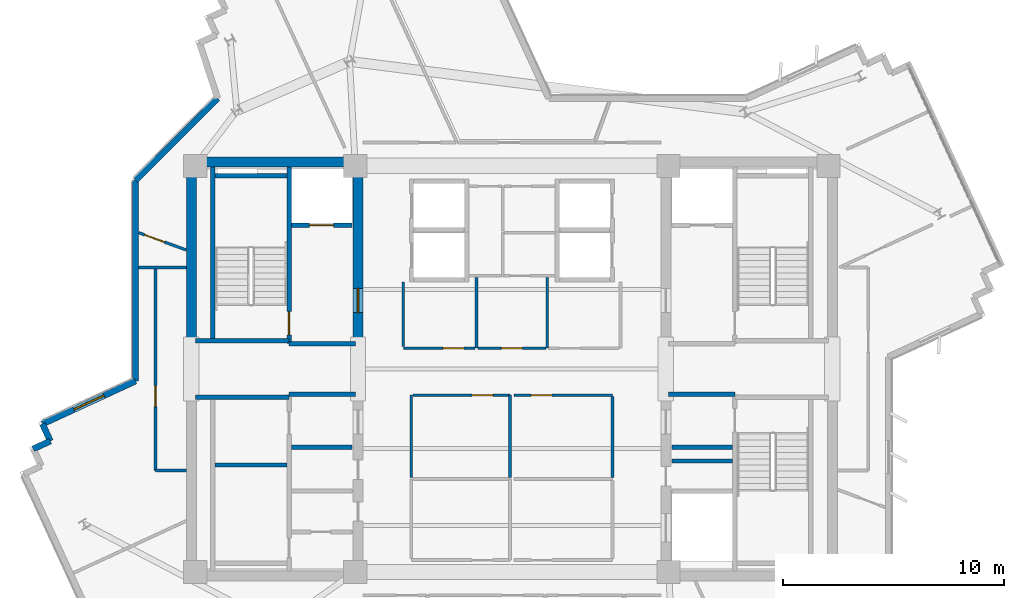
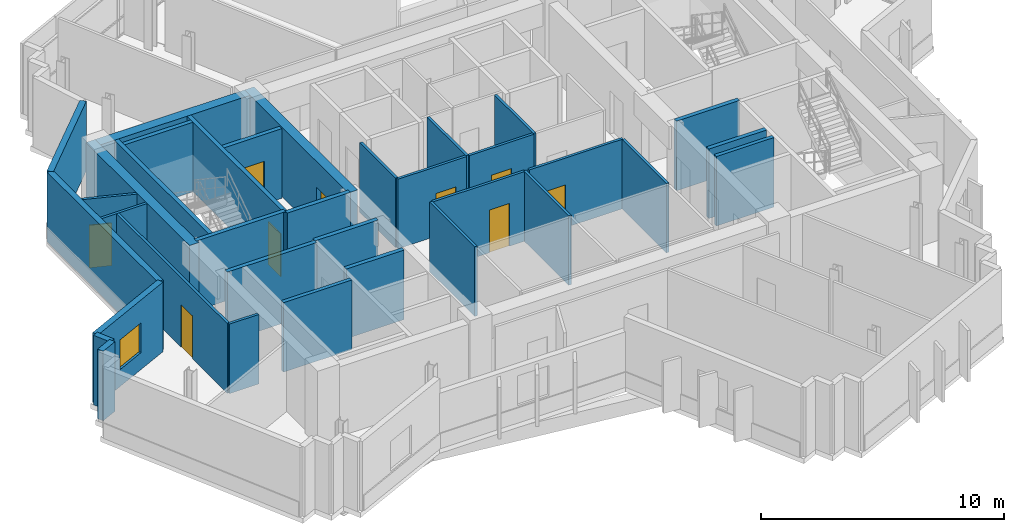
# One storey, part 6 of 12: 35 walls, 9 doors, 1 window, 10 openings.
"""IFC4 building model written with IfcOpenShell, lengths in metres."""

from ifc_helpers import new_model, si_unit, direction, frame, frame_2d, origin, place, context, subcontext, project, spatial, rectangle, extrude, source, transform, mapped, material, layer, layer_set, type_object, element, fill, save


model = new_model("IFC4")

# Units and contexts
model_context = context("Model", 3, precision=1e-05, world=origin(), true_north=direction((0.0, 1.0)))
body_context = subcontext(model_context, "Body", "Model", "MODEL_VIEW")
ifc_project = project(units=[si_unit("LENGTHUNIT", "METRE"), si_unit("AREAUNIT", "SQUARE_METRE"), si_unit("VOLUMEUNIT", "CUBIC_METRE"), si_unit("PLANEANGLEUNIT", "RADIAN"), si_unit("MASSUNIT", "GRAM", prefix="KILO")], contexts=[model_context])

# Site, building, storey
site_placement = place(None, origin())
site = spatial("IfcSite", under=ifc_project, at=site_placement, CompositionType="ELEMENT")
building_placement = place(site_placement, origin())
building = spatial("IfcBuilding", under=site, at=building_placement, Name="Zahravan Cultural Tower", CompositionType="ELEMENT")
storey_placement = place(building_placement, frame((0.0, 0.0, 246.60009765625)))
storey = spatial("IfcBuildingStorey", under=building, at=storey_placement, Name="L58", CompositionType="ELEMENT", Elevation=246.60009765625)

# Wall, opening, door
ifc_material_1 = material(Name="Concrete C50/60", Category="concrete")
ifc_layer_1 = layer(ifc_material_1, 0.449951171875)
ifc_layer_set_1 = layer_set([ifc_layer_1], Name="Concrete C50/60")
wall_type_1 = type_object("IfcWallType", Name="CW-SHEAR-450-C50", PredefinedType="SHEAR", material=ifc_layer_set_1)
wall_1_placement = place(storey_placement, frame((29.02490234375, 28.050048828125, 0.0), z_axis=(0.0, 0.0, 1.0), x_axis=(0.0, 1.0, 0.0)))
wall_1 = element("IfcWall", 1, at=wall_1_placement, inside=storey, type_object=wall_type_1, Name="L58 Core Shear Wall CW-W-EN-L58", PredefinedType="SHEAR", context=body_context, shape_type="SweptSolid", body=[
    extrude(rectangle(XDim=8.550048828125, YDim=0.449951171875, at=frame_2d((4.27490234375, 0.0))), origin(), (0.0, 0.0, 1.0), 3.5),
])
opening_1_placement = place(wall_1_placement, frame((1.5, 0.0, 0.0)))
opening_1 = element("IfcOpeningElement", 2, at=opening_1_placement, cuts=wall_1, Name="Opening D-L58-06", PredefinedType="OPENING", context=body_context, shape_type="SweptSolid", body=[
    extrude(rectangle(XDim=1.10009765625, YDim=2.199951171875, at=frame_2d((0.550048828125, 1.10009765625))), frame((0.0, 0.23486328125, 0.0), z_axis=(0.0, -1.0, 0.0), x_axis=(1.0, 0.0, 0.0)), (0.0, 0.0, 1.0), 0.469970703125),
])
ifc_material_2 = material(Name="Steel ASTM A572 Grade 50", Category="steel")
door_type_1 = type_object("IfcDoorType", Name="DR-LOBBY-1100", OperationType="NOTDEFINED", PredefinedType="DOOR", material=ifc_material_2)
shared_shape_1 = source(origin(), body_context, "Body", "SweptSolid", [
    extrude(rectangle(XDim=1.10009765625, YDim=2.199951171875, at=frame_2d((0.550048828125, 1.10009765625))), frame((0.0, 0.02490234375, 0.0), z_axis=(0.0, -1.0, 0.0), x_axis=(1.0, 0.0, 0.0)), (0.0, 0.0, 1.0), 0.050048828125),
])
door_1_placement = place(opening_1_placement, origin())
door_1 = element("IfcDoor", 3, at=door_1_placement, inside=storey, type_object=door_type_1, Name="L58 Door D-L58-06", OperationType="SINGLE_SWING_LEFT", OverallHeight=2.199951171875, OverallWidth=1.10009765625, PredefinedType="DOOR", context=body_context, shape_type="MappedRepresentation", body=[
    mapped(shared_shape_1, transform((0.0, 0.0, 0.0), x_axis=(1.0, 0.0, 0.0), y_axis=(0.0, 1.0, 0.0), z_axis=(0.0, 0.0, 1.0), scale=1.0)),
])
fill(opening_1, door_1)

# Wall, opening, window
ifc_material_3 = material(Name="Precast concrete C40/50", Category="concrete")
ifc_layer_2 = layer(ifc_material_3, 0.280029296875)
ifc_layer_set_2 = layer_set([ifc_layer_2], Name="Precast concrete C40/50")
wall_type_2 = type_object("IfcWallType", Name="EW-TC-280", PredefinedType="SOLIDWALL", material=ifc_layer_set_2)
wall_2_placement = place(storey_placement, frame((14.72412109375, 24.505615234375, 0.0), z_axis=(0.0, 0.0, 1.0), x_axis=(0.907756183213, 0.419498166669, 0.0)))
wall_2 = element("IfcWall", 4, at=wall_2_placement, inside=storey, type_object=wall_type_2, Name="L58 Exterior Masonry Frame Wall 35", PredefinedType="SOLIDWALL", context=body_context, shape_type="SweptSolid", body=[
    extrude(rectangle(XDim=4.644287109375, YDim=0.280029296875, at=frame_2d((2.322265625, 0.0))), origin(), (0.0, 0.0, 1.0), 3.5),
])
opening_2_placement = place(wall_2_placement, frame((1.572021484375, 0.0, 0.85009765625)))
opening_2 = element("IfcOpeningElement", 5, at=opening_2_placement, cuts=wall_2, Name="Opening WN-03", PredefinedType="OPENING", context=body_context, shape_type="SweptSolid", body=[
    extrude(rectangle(XDim=1.5, YDim=1.5, at=frame_2d((0.75, 0.75))), frame((0.0, 0.14990234375, 0.0), z_axis=(0.0, -1.0, 0.0), x_axis=(1.0, 0.0, 0.0)), (0.0, 0.0, 1.0), 0.300048828125),
])
ifc_material_4 = material(Name="Low-E solar-control double glazing", Category="glass")
window_type = type_object("IfcWindowType", Name="WN-REC-1500X1500", PartitioningType="SINGLE_PANEL", PredefinedType="WINDOW", material=ifc_material_4)
shared_shape_2 = source(origin(), body_context, "Body", "SweptSolid", [
    extrude(rectangle(XDim=1.5, YDim=1.5, at=frame_2d((0.75, 0.75))), frame((0.0, 0.030029296875, 0.0), z_axis=(0.0, -1.0, 0.0), x_axis=(1.0, 0.0, 0.0)), (0.0, 0.0, 1.0), 0.06005859375),
])
window_placement = place(opening_2_placement, origin())
window = element("IfcWindow", 6, at=window_placement, inside=storey, type_object=window_type, Name="L58 Recessed Solar Window 08", OverallHeight=1.5, OverallWidth=1.5, PartitioningType="SINGLE_PANEL", PredefinedType="WINDOW", context=body_context, shape_type="MappedRepresentation", body=[
    mapped(shared_shape_2, transform((0.0, 0.0, 0.0), x_axis=(1.0, 0.0, 0.0), y_axis=(0.0, 1.0, 0.0), z_axis=(0.0, 0.0, 1.0), scale=1.0)),
])
fill(opening_2, window)

# Wall, opening, door
ifc_material_5 = material(Name="Gypsum plasterboard partition")
ifc_layer_3 = layer(ifc_material_5, 0.125)
ifc_layer_set_3 = layer_set([ifc_layer_3], Name="Gypsum plasterboard partition")
wall_type_3 = type_object("IfcWallType", Name="W-PART-125", PredefinedType="PARTITIONING", material=ifc_layer_set_3)
wall_3_placement = place(storey_placement, frame((37.532470703125, 27.93994140625, 0.0), z_axis=(0.0, 0.0, 1.0), x_axis=(-1.0, 0.0, 0.0)))
wall_3 = element("IfcWall", 7, at=wall_3_placement, inside=storey, type_object=wall_type_3, Name="L58 Interior Wall 053", PredefinedType="PARTITIONING", context=body_context, shape_type="SweptSolid", body=[
    extrude(rectangle(XDim=3.06494140625, YDim=0.125, at=frame_2d((1.532470703125, 0.0))), origin(), (0.0, 0.0, 1.0), 3.5),
])
opening_3_placement = place(wall_3_placement, frame((1.0576171875, 0.0, 0.0)))
opening_3 = element("IfcOpeningElement", 8, at=opening_3_placement, cuts=wall_3, Name="Opening D-L58-21", PredefinedType="OPENING", context=body_context, shape_type="SweptSolid", body=[
    extrude(rectangle(XDim=0.949951171875, YDim=2.14990234375, at=frame_2d((0.47509765625, 1.074951171875))), frame((0.0, 0.072509765625, 0.0), z_axis=(0.0, -1.0, 0.0), x_axis=(1.0, 0.0, 0.0)), (0.0, 0.0, 1.0), 0.14501953125),
])
ifc_material_6 = material(Name="Anodised bronze-aluminium mullion", Category="aluminium")
door_type_2 = type_object("IfcDoorType", Name="DR-ROOM-950", OperationType="NOTDEFINED", PredefinedType="DOOR", material=ifc_material_6)
shared_shape_3 = source(origin(), body_context, "Body", "SweptSolid", [
    extrude(rectangle(XDim=0.949951171875, YDim=2.14990234375, at=frame_2d((0.47509765625, 1.074951171875))), frame((0.0, 0.02490234375, 0.0), z_axis=(0.0, -1.0, 0.0), x_axis=(1.0, 0.0, 0.0)), (0.0, 0.0, 1.0), 0.050048828125),
])
door_2_placement = place(opening_3_placement, origin())
door_2 = element("IfcDoor", 9, at=door_2_placement, inside=storey, type_object=door_type_2, Name="L58 Door D-L58-21", OperationType="SINGLE_SWING_RIGHT", OverallHeight=2.14990234375, OverallWidth=0.949951171875, PredefinedType="DOOR", context=body_context, shape_type="MappedRepresentation", body=[
    mapped(shared_shape_3, transform((0.0, 0.0, 0.0), x_axis=(1.0, 0.0, 0.0), y_axis=(0.0, 1.0, 0.0), z_axis=(0.0, 0.0, 1.0), scale=1.0)),
])
fill(opening_3, door_2)

wall_4_placement = place(storey_placement, frame((34.33251953125, 27.93994140625, 0.0), z_axis=(0.0, 0.0, 1.0), x_axis=(-1.0, 0.0, 0.0)))
wall_4 = element("IfcWall", 10, at=wall_4_placement, inside=storey, type_object=wall_type_3, Name="L58 Interior Wall 054", PredefinedType="PARTITIONING", context=body_context, shape_type="SweptSolid", body=[
    extrude(rectangle(XDim=3.25244140625, YDim=0.125, at=frame_2d((1.626220703125, 0.0))), origin(), (0.0, 0.0, 1.0), 3.5),
])
opening_4_placement = place(wall_4_placement, frame((0.506591796875, 0.0, 0.0)))
opening_4 = element("IfcOpeningElement", 11, at=opening_4_placement, cuts=wall_4, Name="Opening D-L58-20", PredefinedType="OPENING", context=body_context, shape_type="SweptSolid", body=[
    extrude(rectangle(XDim=0.949951171875, YDim=2.14990234375, at=frame_2d((0.47509765625, 1.074951171875))), frame((0.0, 0.072509765625, 0.0), z_axis=(0.0, -1.0, 0.0), x_axis=(1.0, 0.0, 0.0)), (0.0, 0.0, 1.0), 0.14501953125),
])
door_3_placement = place(opening_4_placement, origin())
door_3 = element("IfcDoor", 12, at=door_3_placement, inside=storey, type_object=door_type_2, Name="L58 Door D-L58-20", OperationType="SINGLE_SWING_LEFT", OverallHeight=2.14990234375, OverallWidth=0.949951171875, PredefinedType="DOOR", context=body_context, shape_type="MappedRepresentation", body=[
    mapped(shared_shape_3, transform((0.0, 0.0, 0.0), x_axis=(1.0, 0.0, 0.0), y_axis=(0.0, 1.0, 0.0), z_axis=(0.0, 0.0, 1.0), scale=1.0)),
])
fill(opening_4, door_3)

wall_5_placement = place(storey_placement, frame((31.507568359375, 25.81005859375, 0.0), z_axis=(0.0, 0.0, 1.0), x_axis=(1.0, 0.0, 0.0)))
wall_5 = element("IfcWall", 13, at=wall_5_placement, inside=storey, type_object=wall_type_3, Name="L58 Interior Wall 066", PredefinedType="PARTITIONING", context=body_context, shape_type="SweptSolid", body=[
    extrude(rectangle(XDim=4.40234375, YDim=0.125, at=frame_2d((2.201171875, 0.0))), origin(), (0.0, 0.0, 1.0), 3.5),
])
opening_5_placement = place(wall_5_placement, frame((2.69287109375, 0.0, 0.0)))
opening_5 = element("IfcOpeningElement", 14, at=opening_5_placement, cuts=wall_5, Name="Opening D-L58-15", PredefinedType="OPENING", context=body_context, shape_type="SweptSolid", body=[
    extrude(rectangle(XDim=0.949951171875, YDim=2.14990234375, at=frame_2d((0.47509765625, 1.074951171875))), frame((0.0, 0.072509765625, 0.0), z_axis=(0.0, -1.0, 0.0), x_axis=(1.0, 0.0, 0.0)), (0.0, 0.0, 1.0), 0.14501953125),
])
door_4_placement = place(opening_5_placement, origin())
door_4 = element("IfcDoor", 15, at=door_4_placement, inside=storey, type_object=door_type_2, Name="L58 Door D-L58-15", OperationType="SINGLE_SWING_RIGHT", OverallHeight=2.14990234375, OverallWidth=0.949951171875, PredefinedType="DOOR", context=body_context, shape_type="MappedRepresentation", body=[
    mapped(shared_shape_3, transform((0.0, 0.0, 0.0), x_axis=(1.0, 0.0, 0.0), y_axis=(0.0, 1.0, 0.0), z_axis=(0.0, 0.0, 1.0), scale=1.0)),
])
fill(opening_5, door_4)

wall_6_placement = place(storey_placement, frame((36.090087890625, 25.81005859375, 0.0), z_axis=(0.0, 0.0, 1.0), x_axis=(1.0, 0.0, 0.0)))
wall_6 = element("IfcWall", 16, at=wall_6_placement, inside=storey, type_object=wall_type_3, Name="L58 Interior Wall 068", PredefinedType="PARTITIONING", context=body_context, shape_type="SweptSolid", body=[
    extrude(rectangle(XDim=4.469970703125, YDim=0.125, at=frame_2d((2.23486328125, 0.0))), origin(), (0.0, 0.0, 1.0), 3.5),
])
opening_6_placement = place(wall_6_placement, frame((0.7744140625, 0.0, 0.0)))
opening_6 = element("IfcOpeningElement", 17, at=opening_6_placement, cuts=wall_6, Name="Opening D-L58-17", PredefinedType="OPENING", context=body_context, shape_type="SweptSolid", body=[
    extrude(rectangle(XDim=0.949951171875, YDim=2.14990234375, at=frame_2d((0.47509765625, 1.074951171875))), frame((0.0, 0.072509765625, 0.0), z_axis=(0.0, -1.0, 0.0), x_axis=(1.0, 0.0, 0.0)), (0.0, 0.0, 1.0), 0.14501953125),
])
door_5_placement = place(opening_6_placement, origin())
door_5 = element("IfcDoor", 18, at=door_5_placement, inside=storey, type_object=door_type_2, Name="L58 Door D-L58-17", OperationType="SINGLE_SWING_RIGHT", OverallHeight=2.14990234375, OverallWidth=0.949951171875, PredefinedType="DOOR", context=body_context, shape_type="MappedRepresentation", body=[
    mapped(shared_shape_3, transform((0.0, 0.0, 0.0), x_axis=(1.0, 0.0, 0.0), y_axis=(0.0, 1.0, 0.0), z_axis=(0.0, 0.0, 1.0), scale=1.0)),
])
fill(opening_6, door_5)

wall_7_placement = place(storey_placement, frame((21.2451171875, 32.39111328125, 0.0), z_axis=(0.0, 0.0, 1.0), x_axis=(-0.940115637779, 0.340855669755, 0.0)))
wall_7 = element("IfcWall", 19, at=wall_7_placement, inside=storey, type_object=wall_type_3, Name="L58 Interior Wall 093", PredefinedType="PARTITIONING", context=body_context, shape_type="SweptSolid", body=[
    extrude(rectangle(XDim=2.2978515625, YDim=0.125, at=frame_2d((1.14892578125, 0.0))), origin(), (0.0, 0.0, 1.0), 3.5),
])
opening_7_placement = place(wall_7_placement, frame((1.051025390625, 0.0, 0.0)))
opening_7 = element("IfcOpeningElement", 20, at=opening_7_placement, cuts=wall_7, Name="Opening D-L58-33", PredefinedType="OPENING", context=body_context, shape_type="SweptSolid", body=[
    extrude(rectangle(XDim=0.949951171875, YDim=2.14990234375, at=frame_2d((0.47509765625, 1.074951171875))), frame((0.0, 0.072509765625, 0.0), z_axis=(0.0, -1.0, 0.0), x_axis=(1.0, 0.0, 0.0)), (0.0, 0.0, 1.0), 0.14501953125),
])
door_6_placement = place(opening_7_placement, origin())
door_6 = element("IfcDoor", 21, at=door_6_placement, inside=storey, type_object=door_type_2, Name="L58 Door D-L58-33", OperationType="SINGLE_SWING_RIGHT", OverallHeight=2.14990234375, OverallWidth=0.949951171875, PredefinedType="DOOR", context=body_context, shape_type="MappedRepresentation", body=[
    mapped(shared_shape_3, transform((0.0, 0.0, 0.0), x_axis=(1.0, 0.0, 0.0), y_axis=(0.0, 1.0, 0.0), z_axis=(0.0, 0.0, 1.0), scale=1.0)),
])
fill(opening_7, door_6)

wall_8_placement = place(storey_placement, frame((19.85107421875, 31.59912109375, 0.0), z_axis=(0.0, 0.0, 1.0), x_axis=(-7.9685508e-05, -0.999999996825, 0.0)))
wall_8 = element("IfcWall", 22, at=wall_8_placement, inside=storey, type_object=wall_type_3, Name="L58 Interior Wall 097", PredefinedType="PARTITIONING", context=body_context, shape_type="SweptSolid", body=[
    extrude(rectangle(XDim=9.19140625, YDim=0.125, at=frame_2d((4.595703125, 0.0))), origin(), (0.0, 0.0, 1.0), 3.5),
])
opening_8_placement = place(wall_8_placement, frame((5.35693359375, 0.0, 0.0)))
opening_8 = element("IfcOpeningElement", 23, at=opening_8_placement, cuts=wall_8, Name="Opening D-L58-27", PredefinedType="OPENING", context=body_context, shape_type="SweptSolid", body=[
    extrude(rectangle(XDim=0.949951171875, YDim=2.14990234375, at=frame_2d((0.47509765625, 1.074951171875))), frame((0.0, 0.072509765625, 0.0), z_axis=(0.0, -1.0, 0.0), x_axis=(1.0, 0.0, 0.0)), (0.0, 0.0, 1.0), 0.14501953125),
])
door_7_placement = place(opening_8_placement, origin())
door_7 = element("IfcDoor", 24, at=door_7_placement, inside=storey, type_object=door_type_2, Name="L58 Door D-L58-27", OperationType="SINGLE_SWING_RIGHT", OverallHeight=2.14990234375, OverallWidth=0.949951171875, PredefinedType="DOOR", context=body_context, shape_type="MappedRepresentation", body=[
    mapped(shared_shape_3, transform((0.0, 0.0, 0.0), x_axis=(1.0, 0.0, 0.0), y_axis=(0.0, 1.0, 0.0), z_axis=(0.0, 0.0, 1.0), scale=1.0)),
])
fill(opening_8, door_7)

ifc_material_7 = material(Name="Concrete C45/55", Category="concrete")
ifc_layer_4 = layer(ifc_material_7, 0.199951171875)
ifc_layer_set_4 = layer_set([ifc_layer_4], Name="Concrete C45/55")
wall_type_4 = type_object("IfcWallType", Name="W-SHAFT-200", PredefinedType="SOLIDWALL", material=ifc_layer_set_4)
wall_9_placement = place(storey_placement, frame((25.89990234375, 28.14990234375, 0.0), z_axis=(0.0, 0.0, 1.0), x_axis=(0.0, 1.0, 0.0)))
wall_9 = element("IfcWall", 25, at=wall_9_placement, inside=storey, type_object=wall_type_4, Name="L58 Interior Wall 006", PredefinedType="SOLIDWALL", context=body_context, shape_type="SweptSolid", body=[
    extrude(rectangle(XDim=8.0, YDim=0.199951171875, at=frame_2d((4.0, 0.0))), origin(), (0.0, 0.0, 1.0), 3.5),
])
opening_9_placement = place(wall_9_placement, frame((0.39990234375, 0.0, 0.0)))
opening_9 = element("IfcOpeningElement", 26, at=opening_9_placement, cuts=wall_9, Name="Opening D-L58-01", PredefinedType="OPENING", context=body_context, shape_type="SweptSolid", body=[
    extrude(rectangle(XDim=1.050048828125, YDim=2.14990234375, at=frame_2d((0.52490234375, 1.074951171875))), frame((0.0, 0.10986328125, 0.0), z_axis=(0.0, -1.0, 0.0), x_axis=(1.0, 0.0, 0.0)), (0.0, 0.0, 1.0), 0.219970703125),
])
door_type_3 = type_object("IfcDoorType", Name="DR-STAIR-1050", OperationType="NOTDEFINED", PredefinedType="DOOR", material=ifc_material_2)
shared_shape_4 = source(origin(), body_context, "Body", "SweptSolid", [
    extrude(rectangle(XDim=1.050048828125, YDim=2.14990234375, at=frame_2d((0.52490234375, 1.074951171875))), frame((0.0, 0.02490234375, 0.0), z_axis=(0.0, -1.0, 0.0), x_axis=(1.0, 0.0, 0.0)), (0.0, 0.0, 1.0), 0.050048828125),
])
door_8_placement = place(opening_9_placement, origin())
door_8 = element("IfcDoor", 27, at=door_8_placement, inside=storey, type_object=door_type_3, Name="L58 Door D-L58-01", OperationType="SINGLE_SWING_RIGHT", OverallHeight=2.14990234375, OverallWidth=1.050048828125, PredefinedType="DOOR", context=body_context, shape_type="MappedRepresentation", body=[
    mapped(shared_shape_4, transform((0.0, 0.0, 0.0), x_axis=(1.0, 0.0, 0.0), y_axis=(0.0, 1.0, 0.0), z_axis=(0.0, 0.0, 1.0), scale=1.0)),
])
fill(opening_9, door_8)

wall_10_placement = place(storey_placement, frame((26.0, 33.52001953125, 0.0), z_axis=(0.0, 0.0, 1.0), x_axis=(1.0, 0.0, 0.0)))
wall_10 = element("IfcWall", 28, at=wall_10_placement, inside=storey, type_object=wall_type_4, Name="L58 Interior Wall 022", PredefinedType="SOLIDWALL", context=body_context, shape_type="SweptSolid", body=[
    extrude(rectangle(XDim=2.75, YDim=0.199951171875, at=frame_2d((1.375, 0.0))), origin(), (0.0, 0.0, 1.0), 3.5),
])
opening_10_placement = place(wall_10_placement, frame((0.820068359375, 0.0, 0.0)))
opening_10 = element("IfcOpeningElement", 29, at=opening_10_placement, cuts=wall_10, Name="Opening LD-L58-01", PredefinedType="OPENING", context=body_context, shape_type="SweptSolid", body=[
    extrude(rectangle(XDim=1.10009765625, YDim=2.14990234375, at=frame_2d((0.550048828125, 1.074951171875))), frame((0.0, 0.10986328125, 0.0), z_axis=(0.0, -1.0, 0.0), x_axis=(1.0, 0.0, 0.0)), (0.0, 0.0, 1.0), 0.219970703125),
])
door_type_4 = type_object("IfcDoorType", Name="DR-LIFT-1100", OperationType="DOUBLE_DOOR_SLIDING", PredefinedType="DOOR", material=ifc_material_2)
shared_shape_5 = source(origin(), body_context, "Body", "SweptSolid", [
    extrude(rectangle(XDim=1.10009765625, YDim=2.14990234375, at=frame_2d((0.550048828125, 1.074951171875))), frame((0.0, 0.02490234375, 0.0), z_axis=(0.0, -1.0, 0.0), x_axis=(1.0, 0.0, 0.0)), (0.0, 0.0, 1.0), 0.050048828125),
])
door_9_placement = place(opening_10_placement, origin())
door_9 = element("IfcDoor", 30, at=door_9_placement, inside=storey, type_object=door_type_4, Name="L58 Door LD-L58-01", OperationType="DOUBLE_DOOR_SLIDING", OverallHeight=2.14990234375, OverallWidth=1.10009765625, PredefinedType="DOOR", context=body_context, shape_type="MappedRepresentation", body=[
    mapped(shared_shape_5, transform((0.0, 0.0, 0.0), x_axis=(1.0, 0.0, 0.0), y_axis=(0.0, 1.0, 0.0), z_axis=(0.0, 0.0, 1.0), scale=1.0)),
])
fill(opening_10, door_9)

# Walls
shared_shape_6 = source(origin(), body_context, "Body", "SweptSolid", [
    extrude(rectangle(XDim=8.550048828125, YDim=0.449951171875, at=frame_2d((4.27490234375, 0.0))), origin(), (0.0, 0.0, 1.0), 3.5),
])
wall_11_placement = place(storey_placement, frame((21.47509765625, 28.050048828125, 0.0), z_axis=(0.0, 0.0, 1.0), x_axis=(0.0, 1.0, 0.0)))
element("IfcWall", 31, at=wall_11_placement, inside=storey, type_object=wall_type_1, Name="L58 Core Shear Wall CW-W-WN-L58", PredefinedType="SHEAR", context=body_context, shape_type="MappedRepresentation", body=[
    mapped(shared_shape_6, transform((0.0, 0.0, 0.0), x_axis=(1.0, 0.0, 0.0), y_axis=(0.0, 1.0, 0.0), z_axis=(0.0, 0.0, 1.0), scale=1.0)),
])
shared_shape_7 = source(origin(), body_context, "Body", "SweptSolid", [
    extrude(rectangle(XDim=7.10009765625, YDim=0.449951171875, at=frame_2d((3.550048828125, 0.0))), origin(), (0.0, 0.0, 1.0), 3.5),
])
wall_12_placement = place(storey_placement, frame((21.699951171875, 36.375, 0.0), z_axis=(0.0, 0.0, 1.0), x_axis=(1.0, 0.0, 0.0)))
element("IfcWall", 32, at=wall_12_placement, inside=storey, type_object=wall_type_1, Name="L58 Core Shear Wall CW-W-N-L58", PredefinedType="SHEAR", context=body_context, shape_type="MappedRepresentation", body=[
    mapped(shared_shape_7, transform((0.0, 0.0, 0.0), x_axis=(1.0, 0.0, 0.0), y_axis=(0.0, 1.0, 0.0), z_axis=(0.0, 0.0, 1.0), scale=1.0)),
])
shared_shape_8 = source(origin(), body_context, "Body", "SweptSolid", [
    extrude(rectangle(XDim=0.849853515625, YDim=0.280029296875, at=frame_2d((0.4248046875, 0.0))), origin(), (0.0, 0.0, 1.0), 3.5),
])
for number, where, z_axis, x_axis, name in (
    (33, (14.30908203125, 23.377685546875, 0.0), (0.0, 0.0, 1.0), (0.907791150023, 0.419422493365, 0.0), "L58 Exterior Masonry Frame Wall 33"),
    (34, (15.08056640625, 23.734130859375, 0.0), (0.0, 0.0, 1.0), (-0.419422493365, 0.907791150023, 0.0), "L58 Exterior Masonry Frame Wall 34"),
):
    element("IfcWall", number, at=place(storey_placement, frame(where, z_axis=z_axis, x_axis=x_axis)), inside=storey, type_object=wall_type_2, Name=name, PredefinedType="SOLIDWALL", context=body_context, shape_type="MappedRepresentation", body=[
        mapped(shared_shape_8, transform((0.0, 0.0, 0.0), x_axis=(1.0, 0.0, 0.0), y_axis=(0.0, 1.0, 0.0), z_axis=(0.0, 0.0, 1.0), scale=1.0)),
    ])
shared_shape_9 = source(origin(), body_context, "Body", "SweptSolid", [
    extrude(rectangle(XDim=9.088134765625, YDim=0.280029296875, at=frame_2d((4.5439453125, 0.0))), origin(), (0.0, 0.0, 1.0), 3.5),
])
wall_13_placement = place(storey_placement, frame((18.93994140625, 26.453857421875, 0.0), z_axis=(0.0, 0.0, 1.0), x_axis=(0.0, 1.0, 0.0)))
element("IfcWall", 35, at=wall_13_placement, inside=storey, type_object=wall_type_2, Name="L58 Exterior Masonry Frame Wall 36", PredefinedType="SOLIDWALL", context=body_context, shape_type="MappedRepresentation", body=[
    mapped(shared_shape_9, transform((0.0, 0.0, 0.0), x_axis=(1.0, 0.0, 0.0), y_axis=(0.0, 1.0, 0.0), z_axis=(0.0, 0.0, 1.0), scale=1.0)),
])
shared_shape_10 = source(origin(), body_context, "Body", "SweptSolid", [
    extrude(rectangle(XDim=5.258056640625, YDim=0.280029296875, at=frame_2d((2.62890625, 0.0))), origin(), (0.0, 0.0, 1.0), 3.5),
])
wall_14_placement = place(storey_placement, frame((18.93994140625, 35.5419921875, 0.0), z_axis=(0.0, 0.0, 1.0), x_axis=(0.707106781187, 0.707106781187, 0.0)))
element("IfcWall", 36, at=wall_14_placement, inside=storey, type_object=wall_type_2, Name="L58 Exterior Masonry Frame Wall 37", PredefinedType="SOLIDWALL", context=body_context, shape_type="MappedRepresentation", body=[
    mapped(shared_shape_10, transform((0.0, 0.0, 0.0), x_axis=(1.0, 0.0, 0.0), y_axis=(0.0, 1.0, 0.0), z_axis=(0.0, 0.0, 1.0), scale=1.0)),
])
shared_shape_11 = source(origin(), body_context, "Body", "SweptSolid", [
    extrude(rectangle(XDim=7.869873046875, YDim=0.199951171875, at=frame_2d((3.93505859375, 0.0))), origin(), (0.0, 0.0, 1.0), 3.5),
])
wall_15_placement = place(storey_placement, frame((22.449951171875, 28.280029296875, 0.0), z_axis=(0.0, 0.0, 1.0), x_axis=(0.0, 1.0, 0.0)))
element("IfcWall", 37, at=wall_15_placement, inside=storey, type_object=wall_type_4, Name="L58 Interior Wall 002", PredefinedType="SOLIDWALL", context=body_context, shape_type="MappedRepresentation", body=[
    mapped(shared_shape_11, transform((0.0, 0.0, 0.0), x_axis=(1.0, 0.0, 0.0), y_axis=(0.0, 1.0, 0.0), z_axis=(0.0, 0.0, 1.0), scale=1.0)),
])
shared_shape_12 = source(origin(), body_context, "Body", "SweptSolid", [
    extrude(rectangle(XDim=4.25, YDim=0.199951171875, at=frame_2d((2.125, 0.0))), origin(), (0.0, 0.0, 1.0), 3.5),
])
for number, where, z_axis, x_axis, name in (
    (38, (21.64990234375, 25.715087890625, 0.0), (0.0, 0.0, 1.0), (1.0, 0.0, 0.0), "L58 Interior Wall 009"),
    (39, (21.64990234375, 28.284912109375, 0.0), (0.0, 0.0, 1.0), (1.0, 0.0, 0.0), "L58 Interior Wall 011"),
):
    element("IfcWall", number, at=place(storey_placement, frame(where, z_axis=z_axis, x_axis=x_axis)), inside=storey, type_object=wall_type_4, Name=name, PredefinedType="SOLIDWALL", context=body_context, shape_type="MappedRepresentation", body=[
        mapped(shared_shape_12, transform((0.0, 0.0, 0.0), x_axis=(1.0, 0.0, 0.0), y_axis=(0.0, 1.0, 0.0), z_axis=(0.0, 0.0, 1.0), scale=1.0)),
    ])
shared_shape_13 = source(origin(), body_context, "Body", "SweptSolid", [
    extrude(rectangle(XDim=3.0, YDim=0.199951171875, at=frame_2d((1.5, 0.0))), origin(), (0.0, 0.0, 1.0), 3.5),
])
for number, where, z_axis, x_axis, name in (
    (40, (25.89990234375, 25.85009765625, 0.0), (0.0, 0.0, 1.0), (1.0, 0.0, 0.0), "L58 Interior Wall 010"),
    (41, (25.89990234375, 28.14990234375, 0.0), (0.0, 0.0, 1.0), (1.0, 0.0, 0.0), "L58 Interior Wall 012"),
    (42, (43.10009765625, 25.85009765625, 0.0), (0.0, 0.0, 1.0), (1.0, 0.0, 0.0), "L58 Interior Wall 013"),
):
    element("IfcWall", number, at=place(storey_placement, frame(where, z_axis=z_axis, x_axis=x_axis)), inside=storey, type_object=wall_type_4, Name=name, PredefinedType="SOLIDWALL", context=body_context, shape_type="MappedRepresentation", body=[
        mapped(shared_shape_13, transform((0.0, 0.0, 0.0), x_axis=(1.0, 0.0, 0.0), y_axis=(0.0, 1.0, 0.0), z_axis=(0.0, 0.0, 1.0), scale=1.0)),
    ])
shared_shape_14 = source(origin(), body_context, "Body", "SweptSolid", [
    extrude(rectangle(XDim=3.25, YDim=0.199951171875, at=frame_2d((1.625, 0.0))), origin(), (0.0, 0.0, 1.0), 3.5),
])
wall_16_placement = place(storey_placement, frame((22.550048828125, 35.75, 0.0), z_axis=(0.0, 0.0, 1.0), x_axis=(1.0, 0.0, 0.0)))
element("IfcWall", 43, at=wall_16_placement, inside=storey, type_object=wall_type_4, Name="L58 Interior Wall 017", PredefinedType="SOLIDWALL", context=body_context, shape_type="MappedRepresentation", body=[
    mapped(shared_shape_14, transform((0.0, 0.0, 0.0), x_axis=(1.0, 0.0, 0.0), y_axis=(0.0, 1.0, 0.0), z_axis=(0.0, 0.0, 1.0), scale=1.0)),
])
ifc_layer_5 = layer(ifc_material_5, 0.179931640625)
ifc_layer_set_5 = layer_set([ifc_layer_5], Name="Gypsum plasterboard partition")
wall_type_5 = type_object("IfcWallType", Name="W-COMP-180", PredefinedType="PARTITIONING", material=ifc_layer_set_5)
shared_shape_15 = source(origin(), body_context, "Body", "SweptSolid", [
    extrude(rectangle(XDim=3.25, YDim=0.179931640625, at=frame_2d((1.625, 0.0))), origin(), (0.0, 0.0, 1.0), 3.5),
])
wall_17_placement = place(storey_placement, frame((22.550048828125, 22.64990234375, 0.0), z_axis=(0.0, 0.0, 1.0), x_axis=(1.0, 0.0, 0.0)))
element("IfcWall", 44, at=wall_17_placement, inside=storey, type_object=wall_type_5, Name="L58 Interior Wall 021", PredefinedType="PARTITIONING", context=body_context, shape_type="MappedRepresentation", body=[
    mapped(shared_shape_15, transform((0.0, 0.0, 0.0), x_axis=(1.0, 0.0, 0.0), y_axis=(0.0, 1.0, 0.0), z_axis=(0.0, 0.0, 1.0), scale=1.0)),
])
shared_shape_16 = source(origin(), body_context, "Body", "SweptSolid", [
    extrude(rectangle(XDim=2.75, YDim=0.199951171875, at=frame_2d((1.375, 0.0))), origin(), (0.0, 0.0, 1.0), 3.5),
])
for number, where, z_axis, x_axis, name in (
    (45, (26.0, 23.449951171875, 0.0), (0.0, 0.0, 1.0), (1.0, 0.0, 0.0), "L58 Interior Wall 024"),
    (46, (43.25, 23.449951171875, 0.0), (0.0, 0.0, 1.0), (1.0, 0.0, 0.0), "L58 Interior Wall 025"),
):
    element("IfcWall", number, at=place(storey_placement, frame(where, z_axis=z_axis, x_axis=x_axis)), inside=storey, type_object=wall_type_4, Name=name, PredefinedType="SOLIDWALL", context=body_context, shape_type="MappedRepresentation", body=[
        mapped(shared_shape_16, transform((0.0, 0.0, 0.0), x_axis=(1.0, 0.0, 0.0), y_axis=(0.0, 1.0, 0.0), z_axis=(0.0, 0.0, 1.0), scale=1.0)),
    ])
shared_shape_17 = source(origin(), body_context, "Body", "SweptSolid", [
    extrude(rectangle(XDim=2.75, YDim=0.179931640625, at=frame_2d((1.375, 0.0))), origin(), (0.0, 0.0, 1.0), 3.5),
])
wall_18_placement = place(storey_placement, frame((43.25, 22.820068359375, 0.0), z_axis=(0.0, 0.0, 1.0), x_axis=(1.0, 0.0, 0.0)))
element("IfcWall", 47, at=wall_18_placement, inside=storey, type_object=wall_type_5, Name="L58 Interior Wall 029", PredefinedType="PARTITIONING", context=body_context, shape_type="MappedRepresentation", body=[
    mapped(shared_shape_17, transform((0.0, 0.0, 0.0), x_axis=(1.0, 0.0, 0.0), y_axis=(0.0, 1.0, 0.0), z_axis=(0.0, 0.0, 1.0), scale=1.0)),
])
shared_shape_18 = source(origin(), body_context, "Body", "SweptSolid", [
    extrude(rectangle(XDim=3.199951171875, YDim=0.125, at=frame_2d((1.60009765625, 0.0))), origin(), (0.0, 0.0, 1.0), 3.5),
])
for number, where, z_axis, x_axis, name in (
    (48, (34.39990234375, 27.93994140625, 0.0), (0.0, 0.0, 1.0), (0.0, 1.0, 0.0), "L58 Interior Wall 051"),
    (49, (37.60009765625, 31.139892578125, 0.0), (0.0, 0.0, 1.0), (0.0, -1.0, 0.0), "L58 Interior Wall 052"),
):
    element("IfcWall", number, at=place(storey_placement, frame(where, z_axis=z_axis, x_axis=x_axis)), inside=storey, type_object=wall_type_3, Name=name, PredefinedType="PARTITIONING", context=body_context, shape_type="MappedRepresentation", body=[
        mapped(shared_shape_18, transform((0.0, 0.0, 0.0), x_axis=(1.0, 0.0, 0.0), y_axis=(0.0, 1.0, 0.0), z_axis=(0.0, 0.0, 1.0), scale=1.0)),
    ])
shared_shape_19 = source(origin(), body_context, "Body", "SweptSolid", [
    extrude(rectangle(XDim=2.9423828125, YDim=0.125, at=frame_2d((1.47119140625, 0.0))), origin(), (0.0, 0.0, 1.0), 3.5),
])
wall_19_placement = place(storey_placement, frame((31.080078125, 28.007568359375, 0.0), z_axis=(0.0, 0.0, 1.0), x_axis=(0.0, 1.0, 0.0)))
element("IfcWall", 50, at=wall_19_placement, inside=storey, type_object=wall_type_3, Name="L58 Interior Wall 055", PredefinedType="PARTITIONING", context=body_context, shape_type="MappedRepresentation", body=[
    mapped(shared_shape_19, transform((0.0, 0.0, 0.0), x_axis=(1.0, 0.0, 0.0), y_axis=(0.0, 1.0, 0.0), z_axis=(0.0, 0.0, 1.0), scale=1.0)),
])
shared_shape_20 = source(origin(), body_context, "Body", "SweptSolid", [
    extrude(rectangle(XDim=1.38916015625, YDim=0.125, at=frame_2d((0.694580078125, 0.0))), origin(), (0.0, 0.0, 1.0), 3.5),
])
wall_20_placement = place(storey_placement, frame((19.85595703125, 22.39990234375, 0.0), z_axis=(0.0, 0.0, 1.0), x_axis=(1.0, 0.0, 0.0)))
element("IfcWall", 51, at=wall_20_placement, inside=storey, type_object=wall_type_3, Name="L58 Interior Wall 098", PredefinedType="PARTITIONING", context=body_context, shape_type="MappedRepresentation", body=[
    mapped(shared_shape_20, transform((0.0, 0.0, 0.0), x_axis=(1.0, 0.0, 0.0), y_axis=(0.0, 1.0, 0.0), z_axis=(0.0, 0.0, 1.0), scale=1.0)),
])
shared_shape_21 = source(origin(), body_context, "Body", "SweptSolid", [
    extrude(rectangle(XDim=2.1650390625, YDim=0.125, at=frame_2d((1.08251953125, 0.0))), origin(), (0.0, 0.0, 1.0), 3.5),
])
wall_21_placement = place(storey_placement, frame((21.2451171875, 31.60009765625, 0.0), z_axis=(0.0, 0.0, 1.0), x_axis=(-0.999999688459, -0.000789354738, 0.0)))
element("IfcWall", 52, at=wall_21_placement, inside=storey, type_object=wall_type_3, Name="L58 Interior Wall 100", PredefinedType="PARTITIONING", context=body_context, shape_type="MappedRepresentation", body=[
    mapped(shared_shape_21, transform((0.0, 0.0, 0.0), x_axis=(1.0, 0.0, 0.0), y_axis=(0.0, 1.0, 0.0), z_axis=(0.0, 0.0, 1.0), scale=1.0)),
])
shared_shape_22 = source(origin(), body_context, "Body", "SweptSolid", [
    extrude(rectangle(XDim=3.719970703125, YDim=0.125, at=frame_2d((1.85986328125, 0.0))), origin(), (0.0, 0.0, 1.0), 3.5),
])
for number, where, z_axis, x_axis, name in (
    (53, (31.43994140625, 22.090087890625, 0.0), (0.0, 0.0, 1.0), (0.0, 1.0, 0.0), "L58 Interior Wall 065"),
    (54, (35.909912109375, 25.81005859375, 0.0), (0.0, 0.0, 1.0), (0.0, -1.0, 0.0), "L58 Interior Wall 067"),
):
    element("IfcWall", number, at=place(storey_placement, frame(where, z_axis=z_axis, x_axis=x_axis)), inside=storey, type_object=wall_type_3, Name=name, PredefinedType="PARTITIONING", context=body_context, shape_type="MappedRepresentation", body=[
        mapped(shared_shape_22, transform((0.0, 0.0, 0.0), x_axis=(1.0, 0.0, 0.0), y_axis=(0.0, 1.0, 0.0), z_axis=(0.0, 0.0, 1.0), scale=1.0)),
    ])
shared_shape_23 = source(origin(), body_context, "Body", "SweptSolid", [
    extrude(rectangle(XDim=3.65234375, YDim=0.125, at=frame_2d((1.826171875, 0.0))), origin(), (0.0, 0.0, 1.0), 3.5),
])
wall_22_placement = place(storey_placement, frame((40.56005859375, 25.742431640625, 0.0), z_axis=(0.0, 0.0, 1.0), x_axis=(0.0, -1.0, 0.0)))
element("IfcWall", 55, at=wall_22_placement, inside=storey, type_object=wall_type_3, Name="L58 Interior Wall 069", PredefinedType="PARTITIONING", context=body_context, shape_type="MappedRepresentation", body=[
    mapped(shared_shape_23, transform((0.0, 0.0, 0.0), x_axis=(1.0, 0.0, 0.0), y_axis=(0.0, 1.0, 0.0), z_axis=(0.0, 0.0, 1.0), scale=1.0)),
])

save(model, "model.ifc")
